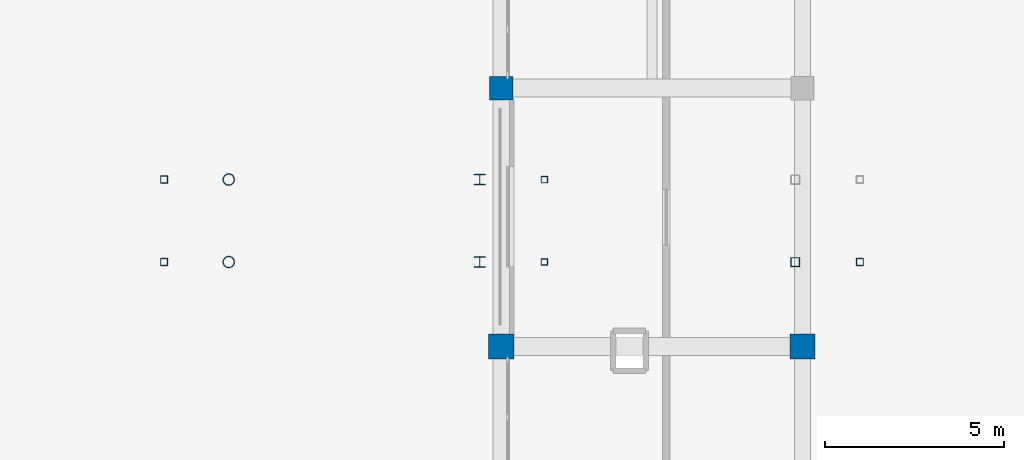
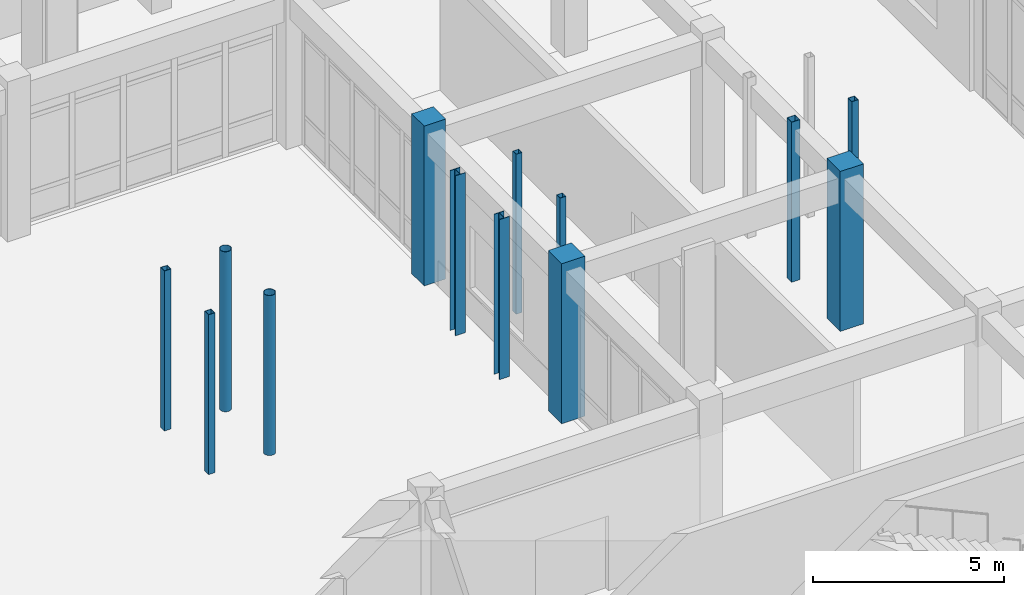
# One storey, part 23 of 121: 13 columns.
"""IFC4 building model written with IfcOpenShell, lengths in metres."""

import ifcopenshell
import ifcopenshell.guid

model = None  # the IFC model being written
_history = None  # IfcOwnerHistory: only IFC2X3 demands one
_inside = {}  # id of a spatial element -> (the spatial element, [elements in it])
_under = {}  # id of a project, library or spatial element -> (it, [spatial elements below it])
_declared = {}  # id of a project -> (the project, [libraries it declares])
_typed = {}  # id of a type object -> (the type object, [elements of that type])
_made_of = {}  # id of a material, layer set ... -> (it, [elements and type objects made of it])


def new_model(schema):
    """Start an empty IFC model of exactly this schema.

    Asked for "IFC4X3", IfcOpenShell would pick the latest addendum, in which some entities
    have other attributes; the version numbers below select the first issue.
    IFC2X3 requires an IfcOwnerHistory on every rooted entity: one is made here for all.
    """
    global model, _history
    if schema == "IFC4X3":
        model = ifcopenshell.file(schema_version=(4, 3, 0, 0))
    else:
        model = ifcopenshell.file(schema=schema)
    _inside.clear()
    _under.clear()
    _declared.clear()
    _typed.clear()
    _made_of.clear()
    _history = None
    if model.schema == "IFC2X3":
        org = make("IfcOrganization", Name="unknown")
        user = make(
            "IfcPersonAndOrganization",
            ThePerson=make("IfcPerson", FamilyName="unknown"),
            TheOrganization=org,
        )
        app = make(
            "IfcApplication",
            ApplicationDeveloper=org,
            Version="unknown",
            ApplicationFullName="unknown",
            ApplicationIdentifier="unknown",
        )
        _history = make(
            "IfcOwnerHistory",
            OwningUser=user,
            OwningApplication=app,
            ChangeAction="ADDED",
            CreationDate=0,
        )
    return model


def make(cls, **values):
    """One entity of the class cls with the attributes given. An attribute that is None is left unset."""
    return model.create_entity(
        cls, **{name: value for name, value in values.items() if value is not None}
    )


def rooted(cls, **values):
    """An entity with a GlobalId (a new one), such as an element, a storey or a relation."""
    return make(cls, GlobalId=ifcopenshell.guid.new(), OwnerHistory=_history, **values)


def si_unit(unit_type, name, prefix=None):
    """IfcSIUnit, for example si_unit("LENGTHUNIT", "METRE", prefix="MILLI")."""
    return make("IfcSIUnit", UnitType=unit_type, Prefix=prefix, Name=name)


def assignment(units):
    """IfcUnitAssignment: the units of a project."""
    return None if units is None else make("IfcUnitAssignment", Units=units)


def point(xyz):
    """IfcCartesianPoint."""
    return None if xyz is None else make("IfcCartesianPoint", Coordinates=xyz)


def direction(xyz):
    """IfcDirection."""
    return None if xyz is None else make("IfcDirection", DirectionRatios=xyz)


def frame(location, z_axis=None, x_axis=None):
    """IfcAxis2Placement3D, a coordinate frame: its origin and axes. An axis left out is left unset."""
    return make(
        "IfcAxis2Placement3D",
        Location=point(location),
        Axis=direction(z_axis),
        RefDirection=direction(x_axis),
    )


def frame_2d(location, x_axis=None):
    """IfcAxis2Placement2D, a coordinate frame in the plane: its origin and x axis."""
    return make(
        "IfcAxis2Placement2D", Location=point(location), RefDirection=direction(x_axis)
    )


def origin():
    """The frame at (0, 0, 0) with its axes left unset."""
    return frame((0.0, 0.0, 0.0))


def origin_2d():
    """The frame at (0, 0) in the plane with its x axis left unset."""
    return frame_2d((0.0, 0.0))


def place(relative_to, where):
    """IfcLocalPlacement: puts the frame where relative to a parent placement (None: the world)."""
    return make(
        "IfcLocalPlacement", PlacementRelTo=relative_to, RelativePlacement=where
    )


def context(
    kind, dimensions, precision=None, world=None, true_north=None, identifier=None
):
    """IfcGeometricRepresentationContext, for example the 3D "Model" context."""
    return make(
        "IfcGeometricRepresentationContext",
        ContextIdentifier=identifier,
        ContextType=kind,
        CoordinateSpaceDimension=dimensions,
        Precision=precision,
        WorldCoordinateSystem=world,
        TrueNorth=true_north,
    )


def subcontext(parent, identifier, kind, view, scale=None):
    """IfcGeometricRepresentationSubContext, for example "Body" below "Model"."""
    return make(
        "IfcGeometricRepresentationSubContext",
        ContextIdentifier=identifier,
        ContextType=kind,
        ParentContext=parent,
        TargetScale=scale,
        TargetView=view,
    )


def project(units=None, contexts=None):
    """IfcProject with its units and contexts."""
    return rooted(
        "IfcProject",
        Name="project",
        RepresentationContexts=contexts,
        UnitsInContext=assignment(units),
    )


def spatial(cls, under=None, at=None, **own):
    """A site, building, storey or space (cls), placed at a placement, below another one or the project."""
    s = rooted(cls, ObjectPlacement=at, **own)
    if under is not None:
        _under.setdefault(under.id(), (under, []))[1].append(s)
    return s


def profile(cls, at=None, kind="AREA", **sizes):
    """A parametric profile (cls). Its sizes go by their IFC names, for example OverallWidth=200.0."""
    return make(cls, ProfileType=kind, Position=at, **sizes)


def rectangle(**sizes):
    """IfcRectangleProfileDef."""
    return profile("IfcRectangleProfileDef", **sizes)


def hollow_rectangle(**sizes):
    """IfcRectangleHollowProfileDef."""
    return profile("IfcRectangleHollowProfileDef", **sizes)


def hollow_circle(**sizes):
    """IfcCircleHollowProfileDef."""
    return profile("IfcCircleHollowProfileDef", **sizes)


def i_section(**sizes):
    """IfcIShapeProfileDef."""
    return profile("IfcIShapeProfileDef", **sizes)


def extrude(swept, where, along, depth):
    """IfcExtrudedAreaSolid: the profile swept, set in the frame where, extruded along a direction by depth."""
    return make(
        "IfcExtrudedAreaSolid",
        SweptArea=swept,
        Position=where,
        ExtrudedDirection=direction(along),
        Depth=depth,
    )


def shape(context_of_items, identifier, shape_type, items):
    """IfcShapeRepresentation: the items that make up one representation, for example the "Body"."""
    return make(
        "IfcShapeRepresentation",
        ContextOfItems=context_of_items,
        RepresentationIdentifier=identifier,
        RepresentationType=shape_type,
        Items=items,
    )


def material(Name=None, Category=None):
    """IfcMaterial."""
    return make("IfcMaterial", Name=Name, Category=Category)


def material_profile(
    of_material, cross_section, Name=None, Category=None, Priority=None
):
    """IfcMaterialProfile: a cross section and its material."""
    return make(
        "IfcMaterialProfile",
        Name=Name,
        Material=of_material,
        Profile=cross_section,
        Priority=Priority,
        Category=Category,
    )


def profile_set(profiles, Name=None, composite=None):
    """IfcMaterialProfileSet."""
    return make(
        "IfcMaterialProfileSet",
        Name=Name,
        MaterialProfiles=profiles,
        CompositeProfile=composite,
    )


def made_of(thing, what):
    """Note that an element or type object is made of a material, layer set ...; save() writes the relation."""
    if what is not None:
        _made_of.setdefault(what.id(), (what, []))[1].append(thing)
    return thing


def type_object(cls, material=None, **own):
    """A type object (cls), such as IfcWallType, which elements share."""
    return made_of(rooted(cls, **own), material)


def element(
    cls,
    number,
    at=None,
    inside=None,
    cuts=None,
    type_object=None,
    material=None,
    context=None,
    identifier="Body",
    shape_type=None,
    held_by="IfcProductDefinitionShape",
    body=None,
    shapes=None,
    **own,
):
    """One element of the class cls, such as IfcWall. Its Tag is "e" and its number.

    at: its placement. inside: the storey or other place that contains it. cuts: it is an
    opening in that element (IfcRelVoidsElement). A single representation is given by context,
    identifier, shape_type and body (its items); several are given by shapes. held_by: the class
    of the entity that holds the representations. save() writes the other relations.
    """
    e = rooted(cls, Tag="e%d" % number, ObjectPlacement=at, **own)
    if body is not None:
        shapes = [shape(context, identifier, shape_type, body)]
    if shapes is not None:
        e.Representation = make(held_by, Representations=shapes)
    if inside is not None:
        _inside.setdefault(inside.id(), (inside, []))[1].append(e)
    if cuts is not None:
        rooted(
            "IfcRelVoidsElement", RelatingBuildingElement=cuts, RelatedOpeningElement=e
        )
    if type_object is not None:
        _typed.setdefault(type_object.id(), (type_object, []))[1].append(e)
    return made_of(e, material)


def aggregate(whole, parts):
    """IfcRelAggregates: a whole, such as a stair, and the parts it consists of."""
    return rooted("IfcRelAggregates", RelatingObject=whole, RelatedObjects=parts)


def save(model, path):
    """Write the relations noted so far, then the file.

    IfcRelAggregates (storeys below a building ...), IfcRelContainedInSpatialStructure (elements
    in a storey), IfcRelDefinesByType, IfcRelAssociatesMaterial and IfcRelDeclares: one each for
    every whole, place, type object, material and project.
    """
    for whole, parts in _under.values():
        aggregate(whole, parts)
    for where, things in _inside.values():
        rooted(
            "IfcRelContainedInSpatialStructure",
            RelatedElements=things,
            RelatingStructure=where,
        )
    for kind, things in _typed.values():
        rooted("IfcRelDefinesByType", RelatedObjects=things, RelatingType=kind)
    for what, things in _made_of.values():
        rooted("IfcRelAssociatesMaterial", RelatedObjects=things, RelatingMaterial=what)
    for by, libraries in _declared.values():
        rooted("IfcRelDeclares", RelatingContext=by, RelatedDefinitions=libraries)
    model.write(path)


model = new_model("IFC4")

# Units and contexts
model_context = context("Model", 3, precision=1e-05, world=origin(), true_north=direction((0.0, 1.0)))
body_context = subcontext(model_context, "Body", "Model", "MODEL_VIEW")
ifc_project = project(units=[si_unit("LENGTHUNIT", "METRE"), si_unit("AREAUNIT", "SQUARE_METRE"), si_unit("VOLUMEUNIT", "CUBIC_METRE"), si_unit("PLANEANGLEUNIT", "RADIAN"), si_unit("MASSUNIT", "GRAM", prefix="KILO")], contexts=[model_context])

# Site, building, storey
site_placement = place(None, origin())
site = spatial("IfcSite", under=ifc_project, at=site_placement, CompositionType="ELEMENT")
building_placement = place(site_placement, origin())
building = spatial("IfcBuilding", under=site, at=building_placement, Name="Malvenik Polytechnic", CompositionType="ELEMENT")
storey_placement = place(building_placement, origin())
storey = spatial("IfcBuildingStorey", under=building, at=storey_placement, Name="L00", CompositionType="ELEMENT", Elevation=0.0)

# Columns
ifc_material_1 = material(Name="Concrete C40/50", Category="concrete")
ifc_material_profile_1 = material_profile(ifc_material_1, rectangle(XDim=0.699951171875, YDim=0.699951171875, at=origin_2d()), Name="RC COL 700x700")
ifc_profile_set_1 = profile_set([ifc_material_profile_1], Name="Concrete C40/50")
column_type_1 = type_object("IfcColumnType", Name="STR-COL-C-04", PredefinedType="COLUMN", material=ifc_profile_set_1)
for number, where, z_axis, x_axis, name in (
    (1, (75.60009765625, 100.800048828125, 0.0), (0.0, 0.0, 1.0), (1.0, 0.0, 0.0), "Column C-04 L00 (75.6,100.8)"),
    (2, (84.0, 100.800048828125, 0.0), (0.0, 0.0, 1.0), (1.0, 0.0, 0.0), "Column C-04 L00 (84.0,100.8)"),
):
    element("IfcColumn", number, at=place(storey_placement, frame(where, z_axis=z_axis, x_axis=x_axis)), inside=storey, type_object=column_type_1, Name=name, PredefinedType="COLUMN", context=body_context, shape_type="SweptSolid", body=[
        extrude(rectangle(XDim=0.699951171875, YDim=0.699951171875, at=origin_2d()), origin(), (0.0, 0.0, 1.0), 5.10009765625),
    ])
ifc_material_2 = material(Name="Concrete C35/45", Category="concrete")
ifc_material_profile_2 = material_profile(ifc_material_2, rectangle(XDim=0.64990234375, YDim=0.64990234375, at=origin_2d()), Name="RC COL 650x650")
ifc_profile_set_2 = profile_set([ifc_material_profile_2], Name="Concrete C35/45")
column_type_2 = type_object("IfcColumnType", Name="STR-COL-C-05", PredefinedType="COLUMN", material=ifc_profile_set_2)
column_1_placement = place(storey_placement, frame((75.60009765625, 108.0, 0.0), z_axis=(0.0, 0.0, 1.0), x_axis=(1.0, 0.0, 0.0)))
element("IfcColumn", 3, at=column_1_placement, inside=storey, type_object=column_type_2, Name="Column C-05 L00 (75.6,108.0)", PredefinedType="COLUMN", context=body_context, shape_type="SweptSolid", body=[
    extrude(rectangle(XDim=0.64990234375, YDim=0.64990234375, at=origin_2d()), origin(), (0.0, 0.0, 1.0), 5.10009765625),
])
ifc_material_3 = material(Name="Steel S355J2H", Category="steel")
ifc_material_profile_3 = material_profile(ifc_material_3, hollow_rectangle(XDim=0.25, YDim=0.25, WallThickness=0.010009765625, at=origin_2d()), Name="SHS 250x250x10.0")
ifc_profile_set_3 = profile_set([ifc_material_profile_3], Name="Steel S355J2H")
column_type_3 = type_object("IfcColumnType", Name="STR-SCOL-SC-01", PredefinedType="COLUMN", material=ifc_profile_set_3)
column_2_placement = place(storey_placement, frame((83.800048828125, 103.14990234375, 0.0), z_axis=(0.0, 0.0, 1.0), x_axis=(1.0, 0.0, 0.0)))
element("IfcColumn", 4, at=column_2_placement, inside=storey, type_object=column_type_3, Name="Bridge-Ramp Support Column SC-01 L00", PredefinedType="COLUMN", context=body_context, shape_type="SweptSolid", body=[
    extrude(hollow_rectangle(XDim=0.25, YDim=0.25, WallThickness=0.010009765625, at=origin_2d()), origin(), (0.0, 0.0, 1.0), 5.10009765625),
])
ifc_material_profile_4 = material_profile(ifc_material_3, hollow_rectangle(XDim=0.199951171875, YDim=0.199951171875, WallThickness=0.010009765625, at=origin_2d()), Name="SHS 200x200x10.0")
ifc_profile_set_4 = profile_set([ifc_material_profile_4], Name="Steel S355J2H")
column_type_4 = type_object("IfcColumnType", Name="STR-SCOL-SC-02", PredefinedType="COLUMN", material=ifc_profile_set_4)
for number, where, z_axis, x_axis, name in (
    (5, (66.199951171875, 103.14990234375, 0.0), (0.0, 0.0, 1.0), (1.0, 0.0, 0.0), "Bridge-Ramp Support Column SC-02 L00"),
    (6, (66.199951171875, 105.449951171875, 0.0), (0.0, 0.0, 1.0), (1.0, 0.0, 0.0), "Bridge-Ramp Support Column SC-02 L00"),
    (7, (85.60009765625, 103.14990234375, 0.0), (0.0, 0.0, 1.0), (1.0, 0.0, 0.0), "Bridge-Ramp Support Column SC-02 L00"),
):
    element("IfcColumn", number, at=place(storey_placement, frame(where, z_axis=z_axis, x_axis=x_axis)), inside=storey, type_object=column_type_4, Name=name, PredefinedType="COLUMN", context=body_context, shape_type="SweptSolid", body=[
        extrude(hollow_rectangle(XDim=0.199951171875, YDim=0.199951171875, WallThickness=0.010009765625, at=origin_2d()), origin(), (0.0, 0.0, 1.0), 5.10009765625),
    ])
ifc_material_profile_5 = material_profile(ifc_material_3, hollow_circle(Radius=0.161865234375, WallThickness=0.012451171875, at=origin_2d()), Name="CHS 323.9x12.5")
ifc_profile_set_5 = profile_set([ifc_material_profile_5], Name="Steel S355J2H")
column_type_5 = type_object("IfcColumnType", Name="STR-SCOL-SC-04", PredefinedType="COLUMN", material=ifc_profile_set_5)
for number, where, z_axis, x_axis, name in (
    (8, (68.0, 103.14990234375, 0.0), (0.0, 0.0, 1.0), (1.0, 0.0, 0.0), "Bridge-Ramp Support Column SC-04 L00"),
    (9, (68.0, 105.449951171875, 0.0), (0.0, 0.0, 1.0), (1.0, 0.0, 0.0), "Bridge-Ramp Support Column SC-04 L00"),
):
    element("IfcColumn", number, at=place(storey_placement, frame(where, z_axis=z_axis, x_axis=x_axis)), inside=storey, type_object=column_type_5, Name=name, PredefinedType="COLUMN", context=body_context, shape_type="SweptSolid", body=[
        extrude(hollow_circle(Radius=0.161865234375, WallThickness=0.012451171875, at=origin_2d()), origin(), (0.0, 0.0, 1.0), 5.10009765625),
    ])
ifc_material_4 = material(Name="Steel S355", Category="steel")
ifc_material_profile_6 = material_profile(ifc_material_4, i_section(OverallWidth=0.300048828125, OverallDepth=0.300048828125, WebThickness=0.010986328125, FlangeThickness=0.01904296875, FilletRadius=0.027099609375, at=origin_2d()), Name="HEB 300")
ifc_profile_set_6 = profile_set([ifc_material_profile_6], Name="Steel S355")
column_type_6 = type_object("IfcColumnType", Name="STR-SCOL-SC-05", PredefinedType="COLUMN", material=ifc_profile_set_6)
for number, where, z_axis, x_axis, name in (
    (10, (75.0, 103.14990234375, 0.0), (0.0, 0.0, 1.0), (1.0, 0.0, 0.0), "Bridge-Ramp Support Column SC-05 L00"),
    (11, (75.0, 105.449951171875, 0.0), (0.0, 0.0, 1.0), (1.0, 0.0, 0.0), "Bridge-Ramp Support Column SC-05 L00"),
):
    element("IfcColumn", number, at=place(storey_placement, frame(where, z_axis=z_axis, x_axis=x_axis)), inside=storey, type_object=column_type_6, Name=name, PredefinedType="COLUMN", context=body_context, shape_type="SweptSolid", body=[
        extrude(i_section(OverallWidth=0.300048828125, OverallDepth=0.300048828125, WebThickness=0.010986328125, FlangeThickness=0.01904296875, FilletRadius=0.027099609375, at=origin_2d()), origin(), (0.0, 0.0, 1.0), 5.10009765625),
    ])
ifc_material_profile_7 = material_profile(ifc_material_3, hollow_rectangle(XDim=0.179931640625, YDim=0.179931640625, WallThickness=0.008056640625, at=origin_2d()), Name="SHS 180x180x8.0")
ifc_profile_set_7 = profile_set([ifc_material_profile_7], Name="Steel S355J2H")
column_type_7 = type_object("IfcColumnType", Name="STR-SCOL-SC-06", PredefinedType="COLUMN", material=ifc_profile_set_7)
for number, where, z_axis, x_axis, name in (
    (12, (76.800048828125, 103.14990234375, 0.0), (0.0, 0.0, 1.0), (1.0, 0.0, 0.0), "Bridge-Ramp Support Column SC-06 L00"),
    (13, (76.800048828125, 105.449951171875, 0.0), (0.0, 0.0, 1.0), (1.0, 0.0, 0.0), "Bridge-Ramp Support Column SC-06 L00"),
):
    element("IfcColumn", number, at=place(storey_placement, frame(where, z_axis=z_axis, x_axis=x_axis)), inside=storey, type_object=column_type_7, Name=name, PredefinedType="COLUMN", context=body_context, shape_type="SweptSolid", body=[
        extrude(hollow_rectangle(XDim=0.179931640625, YDim=0.179931640625, WallThickness=0.008056640625, at=origin_2d()), origin(), (0.0, 0.0, 1.0), 5.10009765625),
    ])

save(model, "model.ifc")
